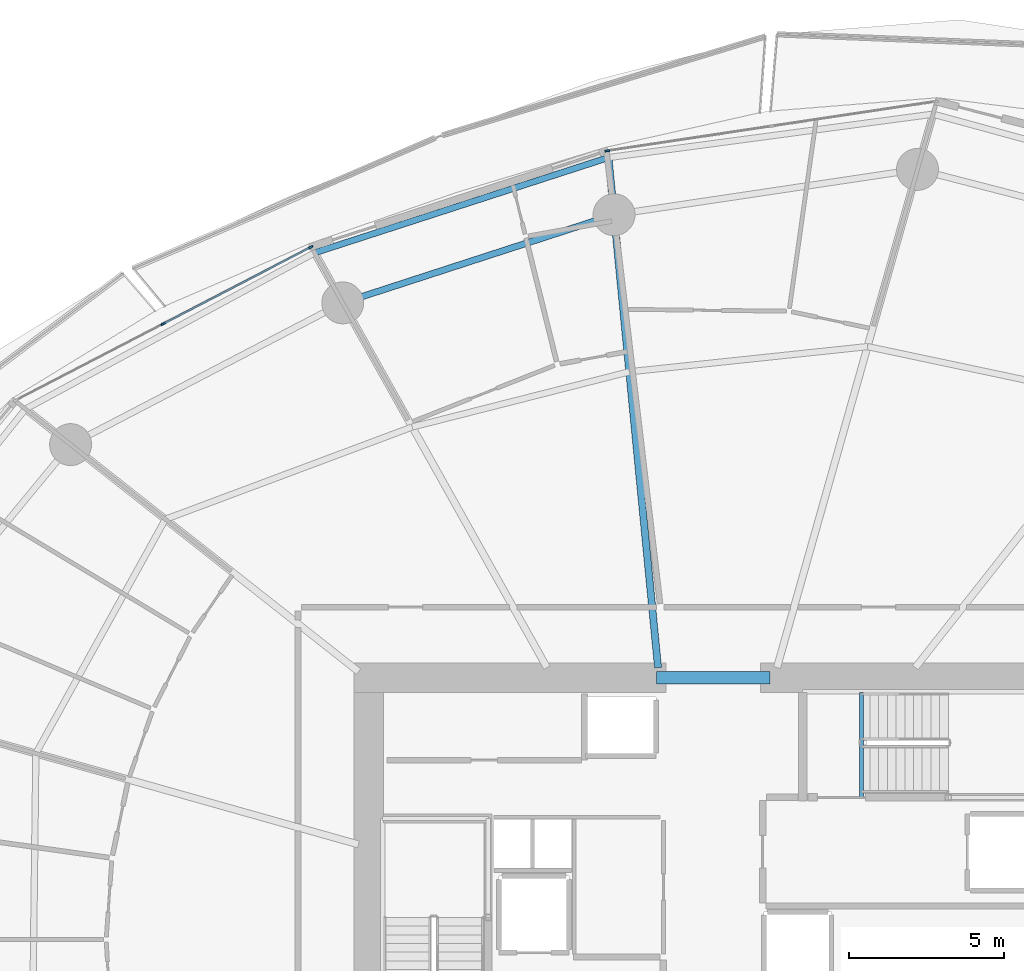
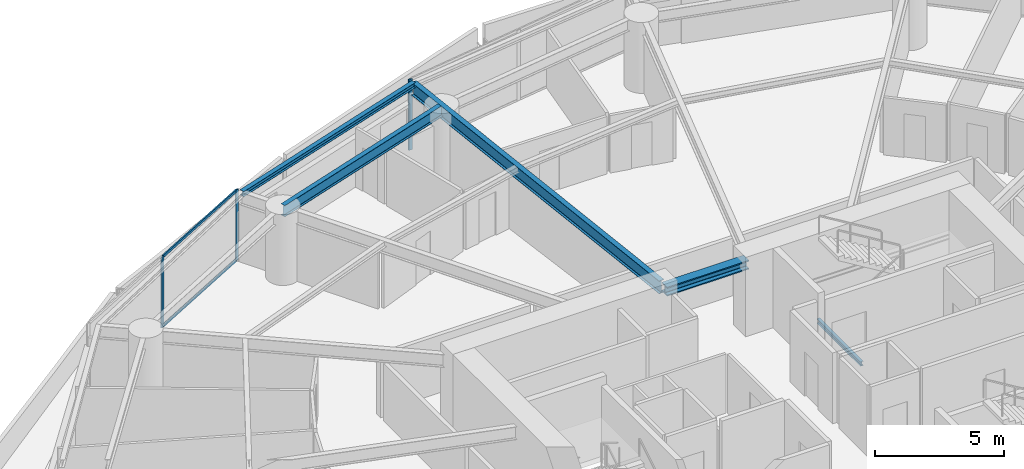
# One storey, part 13 of 31: 5 beams, 5 members, 2 elements without a shape of their own.
"""IFC4 building model written with IfcOpenShell, lengths in metres."""

from ifc_helpers import new_model, si_unit, direction, frame, origin, origin_2d, place, context, subcontext, project, spatial, rectangle, i_section, extrude, material, layer, layer_set, material_profile, profile_set, type_object, element, aggregate, save


model = new_model("IFC4")

# Units and contexts
model_context = context("Model", 3, precision=1e-05, world=origin(), true_north=direction((0.0, 1.0)))
body_context = subcontext(model_context, "Body", "Model", "MODEL_VIEW")
ifc_project = project(units=[si_unit("LENGTHUNIT", "METRE"), si_unit("AREAUNIT", "SQUARE_METRE"), si_unit("VOLUMEUNIT", "CUBIC_METRE"), si_unit("PLANEANGLEUNIT", "RADIAN"), si_unit("MASSUNIT", "GRAM", prefix="KILO")], contexts=[model_context])

# Site, building, storey
site_placement = place(None, origin())
site = spatial("IfcSite", under=ifc_project, at=site_placement, CompositionType="ELEMENT")
building_placement = place(site_placement, origin())
building = spatial("IfcBuilding", under=site, at=building_placement, Name="Kazma Halo Residences", CompositionType="ELEMENT")
storey_placement = place(building_placement, frame((0.0, 0.0, 67.64990234375)))
storey = spatial("IfcBuildingStorey", under=building, at=storey_placement, Name="L16", CompositionType="ELEMENT", Elevation=67.64990234375)

# Beams
ifc_material_1 = material(Name="Steel S355", Category="steel")
ifc_material_profile_1 = material_profile(ifc_material_1, i_section(OverallWidth=0.201904296875, OverallDepth=0.2470703125, WebThickness=0.00732421875, FlangeThickness=0.010986328125, FilletRadius=0.011962890625, at=origin_2d()), Name="W250x49.1")
ifc_profile_set_1 = profile_set([ifc_material_profile_1], Name="Steel S355")
beam_type_1 = type_object("IfcBeamType", Name="BM-BAL-CANT", PredefinedType="BEAM", material=ifc_profile_set_1)
beam_1_placement = place(storey_placement, frame((45.052734375, 67.230712890625, 3.2265625), z_axis=(-0.951307246639, -0.308244257842, 0.0), x_axis=(0.308244257842, -0.951307246639, 0.0)))
element("IfcBeam", 1, at=beam_1_placement, inside=storey, type_object=beam_type_1, Name="L16 wave-balcony tie beam 04", PredefinedType="BEAM", context=body_context, shape_type="SweptSolid", body=[
    extrude(i_section(OverallWidth=0.201904296875, OverallDepth=0.2470703125, WebThickness=0.00732421875, FlangeThickness=0.010986328125, FilletRadius=0.011962890625, at=origin_2d()), origin(), (0.0, 0.0, 1.0), 9.949462890625),
])
ifc_material_profile_2 = material_profile(ifc_material_1, i_section(OverallWidth=0.408935546875, OverallDepth=0.425048828125, WebThickness=0.03271484375, FlangeThickness=0.052490234375, FilletRadius=0.02001953125, at=origin_2d()), Name="W360x421")
ifc_profile_set_2 = profile_set([ifc_material_profile_2], Name="Steel S355")
beam_type_2 = type_object("IfcBeamType", Name="BM-CORE-W360H", PredefinedType="BEAM", material=ifc_profile_set_2)
beam_2_placement = place(storey_placement, frame((46.60009765625, 50.47509765625, 3.1376953125), z_axis=(1.0, 0.0, 0.0), x_axis=(0.0, 1.0, 0.0)))
element("IfcBeam", 2, at=beam_2_placement, inside=storey, type_object=beam_type_2, Name="L16 core coupling beam N", PredefinedType="BEAM", context=body_context, shape_type="SweptSolid", body=[
    extrude(i_section(OverallWidth=0.408935546875, OverallDepth=0.425048828125, WebThickness=0.03271484375, FlangeThickness=0.052490234375, FilletRadius=0.02001953125, at=origin_2d()), origin(), (0.0, 0.0, 1.0), 3.64990234375),
])
ifc_material_profile_3 = material_profile(ifc_material_1, i_section(OverallWidth=0.22802734375, OverallDepth=0.60791015625, WebThickness=0.01123046875, FlangeThickness=0.017333984375, FilletRadius=0.01806640625, at=origin_2d()), Name="W610x113")
ifc_profile_set_3 = profile_set([ifc_material_profile_3], Name="Steel S355")
beam_type_3 = type_object("IfcBeamType", Name="BM-RAD-W610", PredefinedType="BEAM", material=ifc_profile_set_3)
beam_3_placement = place(storey_placement, frame((46.64990234375, 50.800048828125, 3.046142578125), z_axis=(-0.096750509471, 0.995308665147, 0.0), x_axis=(-0.995308665147, -0.096750509471, 0.0)))
element("IfcBeam", 3, at=beam_3_placement, inside=storey, type_object=beam_type_3, Name="L16 radial floor beam 04", PredefinedType="BEAM", context=body_context, shape_type="SweptSolid", body=[
    extrude(i_section(OverallWidth=0.22802734375, OverallDepth=0.60791015625, WebThickness=0.01123046875, FlangeThickness=0.017333984375, FilletRadius=0.01806640625, at=origin_2d()), origin(), (0.0, 0.0, 1.0), 16.508056640625),
])
ifc_material_profile_4 = material_profile(ifc_material_1, i_section(OverallWidth=0.208984375, OverallDepth=0.532958984375, WebThickness=0.01025390625, FlangeThickness=0.015625, FilletRadius=0.01611328125, at=origin_2d()), Name="W530x92")
ifc_profile_set_4 = profile_set([ifc_material_profile_4], Name="Steel S355")
beam_type_4 = type_object("IfcBeamType", Name="BM-SPN-W530", PredefinedType="BEAM", material=ifc_profile_set_4)
beam_4_placement = place(storey_placement, frame((45.231689453125, 65.389404296875, 3.08349609375), z_axis=(-0.951054956346, -0.309021795363, 0.0), x_axis=(0.309021795363, -0.951054956346, 0.0)))
element("IfcBeam", 4, at=beam_4_placement, inside=storey, type_object=beam_type_4, Name="L16 perimeter ring beam 04", PredefinedType="BEAM", context=body_context, shape_type="SweptSolid", body=[
    extrude(i_section(OverallWidth=0.208984375, OverallDepth=0.532958984375, WebThickness=0.01025390625, FlangeThickness=0.015625, FilletRadius=0.01611328125, at=origin_2d()), origin(), (0.0, 0.0, 1.0), 9.189697265625),
])
ifc_material_profile_5 = material_profile(ifc_material_1, i_section(OverallWidth=0.133056640625, OverallDepth=0.20703125, WebThickness=0.005859375, FlangeThickness=0.00830078125, FilletRadius=0.010009765625, at=origin_2d()), Name="W200x26.6")
ifc_profile_set_5 = profile_set([ifc_material_profile_5], Name="Steel S355")
beam_type_5 = type_object("IfcBeamType", Name="BM-TRIM-W200", PredefinedType="BEAM", material=ifc_profile_set_5)
beam_5_placement = place(storey_placement, frame((53.199951171875, 46.6201171875, -0.35986328125), z_axis=(0.0, 1.0, 0.0), x_axis=(-1.0, 0.0, 0.0)))
element("IfcBeam", 5, at=beam_5_placement, inside=storey, type_object=beam_type_5, Name="L16 ST-02 floor landing support beam", PredefinedType="BEAM", context=body_context, shape_type="SweptSolid", body=[
    extrude(i_section(OverallWidth=0.133056640625, OverallDepth=0.20703125, WebThickness=0.005859375, FlangeThickness=0.00830078125, FilletRadius=0.010009765625, at=origin_2d()), origin(), (0.0, 0.0, 1.0), 3.3798828125),
])

# Curtain wall, member
ifc_material_2 = material(Name="Aluminium AW-6063 T6 and Triple-Silver Low-E Glass", Category="aluminium")
ifc_layer = layer(ifc_material_2, 0.159912109375)
ifc_layer_set = layer_set([ifc_layer], Name="Aluminium AW-6063 T6 and Triple-Silver Low-E Glass")
curtain_wall_type = type_object("IfcCurtainWallType", Name="CW-SYS-2", PredefinedType="NOTDEFINED", material=ifc_layer_set)
curtain_wall_1_placement = place(storey_placement, origin())
curtain_wall_1 = element("IfcCurtainWall", 6, at=curtain_wall_1_placement, inside=storey, type_object=curtain_wall_type, Name="L16 unitised curtain wall B03", PredefinedType="NOTDEFINED")
ifc_material_3 = material(Name="Aluminium AW-6063 T6", Category="aluminium")
ifc_material_profile_6 = material_profile(ifc_material_3, rectangle(XDim=0.06005859375, YDim=0.159912109375, at=origin_2d()), Name="CWM-60x160")
ifc_profile_set_6 = profile_set([ifc_material_profile_6], Name="Aluminium AW-6063 T6")
member_type_1 = type_object("IfcMemberType", Name="CW-SYS-2-MUL", PredefinedType="MULLION", material=ifc_profile_set_6)
member_1_placement = place(storey_placement, frame((45.018310546875, 67.447509765625, 0.0), z_axis=(0.0, 0.0, 1.0), x_axis=(0.148657272805, -0.988888777994, 0.0)))
member_1 = element("IfcMember", 7, at=member_1_placement, type_object=member_type_1, Name="CWS-2 mullion 3", PredefinedType="MULLION", context=body_context, shape_type="SweptSolid", body=[
    extrude(rectangle(XDim=0.06005859375, YDim=0.159912109375, at=origin_2d()), origin(), (0.0, 0.0, 1.0), 3.35009765625),
])
aggregate(curtain_wall_1, [member_1])

# Curtain wall, members
curtain_wall_2_placement = place(storey_placement, origin())
curtain_wall_2 = element("IfcCurtainWall", 8, at=curtain_wall_2_placement, inside=storey, type_object=curtain_wall_type, Name="L16 unitised curtain wall B05", PredefinedType="NOTDEFINED")
member_2_placement = place(storey_placement, frame((35.45458984375, 64.340087890625, 0.0), z_axis=(0.0, 0.0, 1.0), x_axis=(0.460995912628, -0.887402258584, 0.0)))
member_2 = element("IfcMember", 9, at=member_2_placement, type_object=member_type_1, Name="CWS-2 mullion 1", PredefinedType="MULLION", context=body_context, shape_type="SweptSolid", body=[
    extrude(rectangle(XDim=0.06005859375, YDim=0.159912109375, at=origin_2d()), origin(), (0.0, 0.0, 1.0), 3.35009765625),
])
member_3_placement = place(storey_placement, frame((30.7080078125, 61.874267578125, 0.0), z_axis=(0.0, 0.0, 1.0), x_axis=(0.460995912628, -0.887402258584, 0.0)))
member_3 = element("IfcMember", 10, at=member_3_placement, type_object=member_type_1, Name="CWS-2 mullion 2", PredefinedType="MULLION", context=body_context, shape_type="SweptSolid", body=[
    extrude(rectangle(XDim=0.06005859375, YDim=0.159912109375, at=origin_2d()), origin(), (0.0, 0.0, 1.0), 3.35009765625),
])
ifc_material_profile_7 = material_profile(ifc_material_3, rectangle(XDim=0.06005859375, YDim=0.1201171875, at=origin_2d()), Name="CWT-60x120")
ifc_profile_set_7 = profile_set([ifc_material_profile_7], Name="Aluminium AW-6063 T6")
member_type_2 = type_object("IfcMemberType", Name="CW-SYS-2-TRN", PredefinedType="USERDEFINED", material=ifc_profile_set_7)
member_4_placement = place(storey_placement, frame((35.427978515625, 64.326171875, 0.030029296875), z_axis=(-0.887414738583, -0.460971888238, 0.0), x_axis=(0.460971888238, -0.887414738583, 0.0)))
member_4 = element("IfcMember", 11, at=member_4_placement, type_object=member_type_2, Name="CWS-2 transom 1.1", ObjectType="TRANSOM", PredefinedType="USERDEFINED", context=body_context, shape_type="SweptSolid", body=[
    extrude(rectangle(XDim=0.06005859375, YDim=0.1201171875, at=origin_2d()), origin(), (0.0, 0.0, 1.0), 5.288818359375),
])
member_5_placement = place(storey_placement, frame((35.427978515625, 64.326171875, 3.320068359375), z_axis=(-0.887414738583, -0.460971888238, 0.0), x_axis=(0.460971888238, -0.887414738583, 0.0)))
member_5 = element("IfcMember", 12, at=member_5_placement, type_object=member_type_2, Name="CWS-2 transom 1.2", ObjectType="TRANSOM", PredefinedType="USERDEFINED", context=body_context, shape_type="SweptSolid", body=[
    extrude(rectangle(XDim=0.06005859375, YDim=0.1201171875, at=origin_2d()), origin(), (0.0, 0.0, 1.0), 5.288818359375),
])
aggregate(curtain_wall_2, [member_2, member_3, member_4, member_5])

save(model, "model.ifc")
